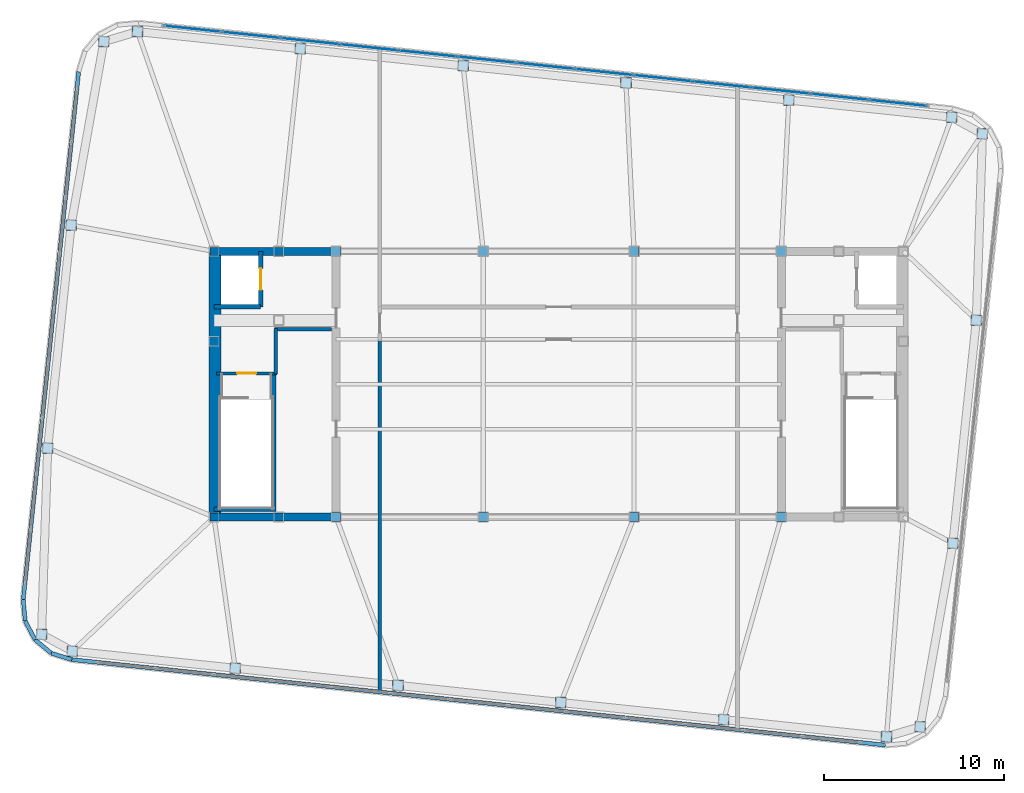
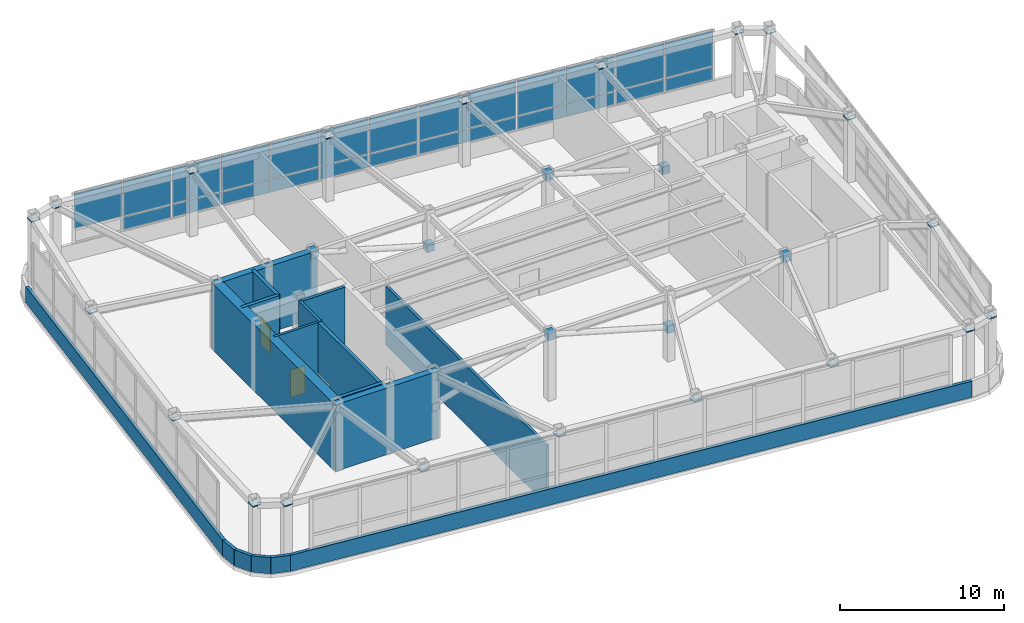
# One storey, part 19 of 21: 53 plates, 17 walls, 2 doors, 2 openings, 1 element without a shape of its own.
"""IFC4 building model written with IfcOpenShell, lengths in metres."""

from ifc_helpers import new_model, si_unit, direction, frame, frame_2d, origin, origin_2d, place, context, subcontext, project, spatial, rectangle, extrude, material, layer, layer_set, type_object, element, fill, aggregate, save


model = new_model("IFC4")

# Units and contexts
model_context = context("Model", 3, precision=1e-05, world=origin(), true_north=direction((0.0, 1.0)))
body_context = subcontext(model_context, "Body", "Model", "MODEL_VIEW")
ifc_project = project(units=[si_unit("LENGTHUNIT", "METRE"), si_unit("AREAUNIT", "SQUARE_METRE"), si_unit("VOLUMEUNIT", "CUBIC_METRE"), si_unit("PLANEANGLEUNIT", "RADIAN"), si_unit("MASSUNIT", "GRAM", prefix="KILO")], contexts=[model_context])

# Site, building, storey
site_placement = place(None, origin())
site = spatial("IfcSite", under=ifc_project, at=site_placement, CompositionType="ELEMENT")
building_placement = place(site_placement, origin())
building = spatial("IfcBuilding", under=site, at=building_placement, Name="Voryun Gate Residences", CompositionType="ELEMENT")
storey_placement = place(building_placement, frame((0.0, 0.0, 337.199951171875)))
storey = spatial("IfcBuildingStorey", under=building, at=storey_placement, Name="L82", CompositionType="ELEMENT", Elevation=337.199951171875)

# Plates
ifc_material_1 = material(Name="Steel SM355", Category="steel")
ifc_layer_1 = layer(ifc_material_1, 0.02490234375, Name="PLT_END_CAP_25")
ifc_layer_set_1 = layer_set([ifc_layer_1], Name="Steel SM355")
plate_type_1 = type_object("IfcPlateType", Name="PLT_END_CAP_25", PredefinedType="USERDEFINED", material=ifc_layer_set_1)
for number, where, z_axis, x_axis, name in (
    (1, (-27.088623046875, -14.87158203125, 4.695068359375), (0.0, 0.0, 1.0), (1.0, 0.0, 0.0), "L82 Hollow Member End-Cap Plate EC-1075"),
    (2, (-18.0185546875, -15.824951171875, 4.695068359375), (0.0, 0.0, 1.0), (1.0, 0.0, 0.0), "L82 Hollow Member End-Cap Plate EC-1076"),
    (3, (-8.948486328125, -16.7783203125, 4.695068359375), (0.0, 0.0, 1.0), (1.0, 0.0, 0.0), "L82 Hollow Member End-Cap Plate EC-1077"),
    (4, (0.12158203125, -17.731689453125, 4.695068359375), (0.0, 0.0, 1.0), (1.0, 0.0, 0.0), "L82 Hollow Member End-Cap Plate EC-1078"),
    (5, (9.19140625, -18.684814453125, 4.695068359375), (0.0, 0.0, 1.0), (1.0, 0.0, 0.0), "L82 Hollow Member End-Cap Plate EC-1079"),
    (6, (18.261474609375, -19.63818359375, 4.695068359375), (0.0, 0.0, 1.0), (1.0, 0.0, 0.0), "L82 Hollow Member End-Cap Plate EC-1080"),
    (7, (20.1328125, -19.083984375, 4.695068359375), (0.0, 0.0, 1.0), (1.0, 0.0, 0.0), "L82 Hollow Member End-Cap Plate EC-1081"),
    (8, (21.958251953125, -8.861572265625, 4.695068359375), (0.0, 0.0, 1.0), (1.0, 0.0, 0.0), "L82 Hollow Member End-Cap Plate EC-1082"),
    (9, (23.263916015625, 3.56201171875, 4.695068359375), (0.0, 0.0, 1.0), (1.0, 0.0, 0.0), "L82 Hollow Member End-Cap Plate EC-1083"),
    (10, (23.603759765625, 13.9404296875, 4.695068359375), (0.0, 0.0, 1.0), (1.0, 0.0, 0.0), "L82 Hollow Member End-Cap Plate EC-1084"),
    (11, (21.888671875, 14.87158203125, 4.695068359375), (0.0, 0.0, 1.0), (1.0, 0.0, 0.0), "L82 Hollow Member End-Cap Plate EC-1085"),
    (12, (12.818603515625, 15.824951171875, 4.695068359375), (0.0, 0.0, 1.0), (1.0, 0.0, 0.0), "L82 Hollow Member End-Cap Plate EC-1086"),
    (13, (3.74853515625, 16.7783203125, 4.695068359375), (0.0, 0.0, 1.0), (1.0, 0.0, 0.0), "L82 Hollow Member End-Cap Plate EC-1087"),
    (14, (-5.3212890625, 17.731689453125, 4.695068359375), (0.0, 0.0, 1.0), (1.0, 0.0, 0.0), "L82 Hollow Member End-Cap Plate EC-1088"),
    (15, (-14.3916015625, 18.684814453125, 4.695068359375), (0.0, 0.0, 1.0), (1.0, 0.0, 0.0), "L82 Hollow Member End-Cap Plate EC-1089"),
    (16, (-23.46142578125, 19.63818359375, 4.695068359375), (0.0, 0.0, 1.0), (1.0, 0.0, 0.0), "L82 Hollow Member End-Cap Plate EC-1090"),
    (17, (-25.332763671875, 19.083984375, 4.695068359375), (0.0, 0.0, 1.0), (1.0, 0.0, 0.0), "L82 Hollow Member End-Cap Plate EC-1091"),
    (18, (-27.158203125, 8.861572265625, 4.695068359375), (0.0, 0.0, 1.0), (1.0, 0.0, 0.0), "L82 Hollow Member End-Cap Plate EC-1092"),
    (19, (-28.464111328125, -3.56201171875, 4.695068359375), (0.0, 0.0, 1.0), (1.0, 0.0, 0.0), "L82 Hollow Member End-Cap Plate EC-1093"),
    (20, (-28.8037109375, -13.9404296875, 4.695068359375), (0.0, 0.0, 1.0), (1.0, 0.0, 0.0), "L82 Hollow Member End-Cap Plate EC-1094"),
):
    element("IfcPlate", number, at=place(storey_placement, frame(where, z_axis=z_axis, x_axis=x_axis)), inside=storey, type_object=plate_type_1, Name=name, ObjectType="BASE_PLATE", PredefinedType="USERDEFINED", context=body_context, shape_type="SweptSolid", body=[
        extrude(rectangle(XDim=0.590087890625, YDim=0.590087890625, at=origin_2d()), origin(), (0.0, 0.0, 1.0), 0.080078125),
    ])
for number, where, z_axis, x_axis, name in (
    (21, (-4.199951171875, -7.39990234375, 4.5), (0.0, 0.0, 1.0), (1.0, 0.0, 0.0), "L82 Brace Node Connection Plate BN-1096"),
    (22, (12.39990234375, -7.39990234375, 4.5), (0.0, 0.0, 1.0), (1.0, 0.0, 0.0), "L82 Brace Node Connection Plate BN-1098"),
    (23, (-12.39990234375, 7.39990234375, 4.5), (0.0, 0.0, 1.0), (1.0, 0.0, 0.0), "L82 Brace Node Connection Plate BN-1100"),
    (24, (12.39990234375, 7.39990234375, 2.10009765625), (0.0, 0.0, 1.0), (1.0, 0.0, 0.0), "L82 Brace Node Connection Plate BN-1102"),
):
    element("IfcPlate", number, at=place(storey_placement, frame(where, z_axis=z_axis, x_axis=x_axis)), inside=storey, type_object=plate_type_1, Name=name, ObjectType="BASE_PLATE", PredefinedType="USERDEFINED", context=body_context, shape_type="SweptSolid", body=[
        extrude(rectangle(XDim=0.52001953125, YDim=0.52001953125, at=origin_2d()), origin(), (0.0, 0.0, 1.0), 0.56005859375),
    ])

# Curtain wall, plates
ifc_material_2 = material(Name="Anodised aluminium", Category="aluminium")
ifc_layer_2 = layer(ifc_material_2, 0.22998046875, Name="CW_SYS_LANTERN_DARK_GLASS")
ifc_layer_set_2 = layer_set([ifc_layer_2], Name="Anodised aluminium")
curtain_wall_type = type_object("IfcCurtainWallType", Name="CW_SYS_LANTERN_DARK_GLASS", PredefinedType="NOTDEFINED", material=ifc_layer_set_2)
curtain_wall_placement = place(storey_placement, origin())
curtain_wall = element("IfcCurtainWall", 25, at=curtain_wall_placement, inside=storey, type_object=curtain_wall_type, Name="Curtain wall CW6-L82-11", PredefinedType="NOTDEFINED")
ifc_material_3 = material(Name="Fritted lantern glass", Category="glass")
ifc_layer_3 = layer(ifc_material_3, 0.050048828125, Name="PLT_GLASS_FRIT_LANTERN")
ifc_layer_set_3 = layer_set([ifc_layer_3], Name="Fritted lantern glass")
plate_type_2 = type_object("IfcPlateType", Name="PLT_GLASS_FRIT_LANTERN", PredefinedType="CURTAIN_PANEL", material=ifc_layer_set_3)
plate_1_placement = place(storey_placement, frame((-20.382080078125, 19.787109375, 2.27001953125), z_axis=(0.0, 0.0, 1.0), x_axis=(0.994521969434, -0.10452775858, 0.0)))
plate_1 = element("IfcPlate", 26, at=plate_1_placement, type_object=plate_type_2, Name="CW6 panel 1.2", PredefinedType="CURTAIN_PANEL", context=body_context, shape_type="SweptSolid", body=[
    extrude(rectangle(XDim=3.20458984375, YDim=0.028076171875, at=origin_2d()), origin(), (0.0, 0.0, 1.0), 2.6298828125),
])
plate_2_placement = place(storey_placement, frame((-17.120361328125, 19.4443359375, 1.25), z_axis=(0.0, 0.0, 1.0), x_axis=(0.994521969434, -0.10452775858, 0.0)))
plate_2 = element("IfcPlate", 27, at=plate_2_placement, type_object=plate_type_2, Name="CW6 panel 2.1", PredefinedType="CURTAIN_PANEL", context=body_context, shape_type="SweptSolid", body=[
    extrude(rectangle(XDim=3.234619140625, YDim=0.028076171875, at=origin_2d()), origin(), (0.0, 0.0, 1.0), 0.9599609375),
])
plate_3_placement = place(storey_placement, frame((-17.120361328125, 19.4443359375, 2.27001953125), z_axis=(0.0, 0.0, 1.0), x_axis=(0.994521969434, -0.10452775858, 0.0)))
plate_3 = element("IfcPlate", 28, at=plate_3_placement, type_object=plate_type_2, Name="CW6 panel 2.2", PredefinedType="CURTAIN_PANEL", context=body_context, shape_type="SweptSolid", body=[
    extrude(rectangle(XDim=3.234619140625, YDim=0.028076171875, at=origin_2d()), origin(), (0.0, 0.0, 1.0), 2.6298828125),
])
plate_4_placement = place(storey_placement, frame((-13.84375, 19.099853515625, 1.25), z_axis=(0.0, 0.0, 1.0), x_axis=(0.994521969434, -0.10452775858, 0.0)))
plate_4 = element("IfcPlate", 29, at=plate_4_placement, type_object=plate_type_2, Name="CW6 panel 3.1", PredefinedType="CURTAIN_PANEL", context=body_context, shape_type="SweptSolid", body=[
    extrude(rectangle(XDim=3.234619140625, YDim=0.028076171875, at=origin_2d()), origin(), (0.0, 0.0, 1.0), 0.9599609375),
])
plate_5_placement = place(storey_placement, frame((-13.84375, 19.099853515625, 2.27001953125), z_axis=(0.0, 0.0, 1.0), x_axis=(0.994521969434, -0.10452775858, 0.0)))
plate_5 = element("IfcPlate", 30, at=plate_5_placement, type_object=plate_type_2, Name="CW6 panel 3.2", PredefinedType="CURTAIN_PANEL", context=body_context, shape_type="SweptSolid", body=[
    extrude(rectangle(XDim=3.234619140625, YDim=0.028076171875, at=origin_2d()), origin(), (0.0, 0.0, 1.0), 2.6298828125),
])
plate_6_placement = place(storey_placement, frame((-10.567138671875, 18.755615234375, 1.25), z_axis=(0.0, 0.0, 1.0), x_axis=(0.994521969434, -0.10452775858, 0.0)))
plate_6 = element("IfcPlate", 31, at=plate_6_placement, type_object=plate_type_2, Name="CW6 panel 4.1", PredefinedType="CURTAIN_PANEL", context=body_context, shape_type="SweptSolid", body=[
    extrude(rectangle(XDim=3.234619140625, YDim=0.028076171875, at=origin_2d()), origin(), (0.0, 0.0, 1.0), 0.9599609375),
])
plate_7_placement = place(storey_placement, frame((-10.567138671875, 18.755615234375, 2.27001953125), z_axis=(0.0, 0.0, 1.0), x_axis=(0.994521969434, -0.10452775858, 0.0)))
plate_7 = element("IfcPlate", 32, at=plate_7_placement, type_object=plate_type_2, Name="CW6 panel 4.2", PredefinedType="CURTAIN_PANEL", context=body_context, shape_type="SweptSolid", body=[
    extrude(rectangle(XDim=3.234619140625, YDim=0.028076171875, at=origin_2d()), origin(), (0.0, 0.0, 1.0), 2.6298828125),
])
plate_8_placement = place(storey_placement, frame((-7.29052734375, 18.4111328125, 1.25), z_axis=(0.0, 0.0, 1.0), x_axis=(0.994521969434, -0.10452775858, 0.0)))
plate_8 = element("IfcPlate", 33, at=plate_8_placement, type_object=plate_type_2, Name="CW6 panel 5.1", PredefinedType="CURTAIN_PANEL", context=body_context, shape_type="SweptSolid", body=[
    extrude(rectangle(XDim=3.234619140625, YDim=0.028076171875, at=origin_2d()), origin(), (0.0, 0.0, 1.0), 0.9599609375),
])
plate_9_placement = place(storey_placement, frame((-7.29052734375, 18.4111328125, 2.27001953125), z_axis=(0.0, 0.0, 1.0), x_axis=(0.994521969434, -0.10452775858, 0.0)))
plate_9 = element("IfcPlate", 34, at=plate_9_placement, type_object=plate_type_2, Name="CW6 panel 5.2", PredefinedType="CURTAIN_PANEL", context=body_context, shape_type="SweptSolid", body=[
    extrude(rectangle(XDim=3.234619140625, YDim=0.028076171875, at=origin_2d()), origin(), (0.0, 0.0, 1.0), 2.6298828125),
])
plate_10_placement = place(storey_placement, frame((-4.013916015625, 18.06689453125, 1.25), z_axis=(0.0, 0.0, 1.0), x_axis=(0.994521969434, -0.10452775858, 0.0)))
plate_10 = element("IfcPlate", 35, at=plate_10_placement, type_object=plate_type_2, Name="CW6 panel 6.1", PredefinedType="CURTAIN_PANEL", context=body_context, shape_type="SweptSolid", body=[
    extrude(rectangle(XDim=3.234619140625, YDim=0.028076171875, at=origin_2d()), origin(), (0.0, 0.0, 1.0), 0.9599609375),
])
plate_11_placement = place(storey_placement, frame((-4.013916015625, 18.06689453125, 2.27001953125), z_axis=(0.0, 0.0, 1.0), x_axis=(0.994521969434, -0.10452775858, 0.0)))
plate_11 = element("IfcPlate", 36, at=plate_11_placement, type_object=plate_type_2, Name="CW6 panel 6.2", PredefinedType="CURTAIN_PANEL", context=body_context, shape_type="SweptSolid", body=[
    extrude(rectangle(XDim=3.234619140625, YDim=0.028076171875, at=origin_2d()), origin(), (0.0, 0.0, 1.0), 2.6298828125),
])
plate_12_placement = place(storey_placement, frame((-0.7373046875, 17.722412109375, 1.25), z_axis=(0.0, 0.0, 1.0), x_axis=(0.994521969434, -0.10452775858, 0.0)))
plate_12 = element("IfcPlate", 37, at=plate_12_placement, type_object=plate_type_2, Name="CW6 panel 7.1", PredefinedType="CURTAIN_PANEL", context=body_context, shape_type="SweptSolid", body=[
    extrude(rectangle(XDim=3.234619140625, YDim=0.028076171875, at=origin_2d()), origin(), (0.0, 0.0, 1.0), 0.9599609375),
])
plate_13_placement = place(storey_placement, frame((-0.7373046875, 17.722412109375, 2.27001953125), z_axis=(0.0, 0.0, 1.0), x_axis=(0.994521969434, -0.10452775858, 0.0)))
plate_13 = element("IfcPlate", 38, at=plate_13_placement, type_object=plate_type_2, Name="CW6 panel 7.2", PredefinedType="CURTAIN_PANEL", context=body_context, shape_type="SweptSolid", body=[
    extrude(rectangle(XDim=3.234619140625, YDim=0.028076171875, at=origin_2d()), origin(), (0.0, 0.0, 1.0), 2.6298828125),
])
plate_14_placement = place(storey_placement, frame((2.539306640625, 17.3779296875, 1.25), z_axis=(0.0, 0.0, 1.0), x_axis=(0.994521969434, -0.10452775858, 0.0)))
plate_14 = element("IfcPlate", 39, at=plate_14_placement, type_object=plate_type_2, Name="CW6 panel 8.1", PredefinedType="CURTAIN_PANEL", context=body_context, shape_type="SweptSolid", body=[
    extrude(rectangle(XDim=3.234619140625, YDim=0.028076171875, at=origin_2d()), origin(), (0.0, 0.0, 1.0), 0.9599609375),
])
plate_15_placement = place(storey_placement, frame((2.539306640625, 17.3779296875, 2.27001953125), z_axis=(0.0, 0.0, 1.0), x_axis=(0.994521969434, -0.10452775858, 0.0)))
plate_15 = element("IfcPlate", 40, at=plate_15_placement, type_object=plate_type_2, Name="CW6 panel 8.2", PredefinedType="CURTAIN_PANEL", context=body_context, shape_type="SweptSolid", body=[
    extrude(rectangle(XDim=3.234619140625, YDim=0.028076171875, at=origin_2d()), origin(), (0.0, 0.0, 1.0), 2.6298828125),
])
plate_16_placement = place(storey_placement, frame((5.81591796875, 17.03369140625, 1.25), z_axis=(0.0, 0.0, 1.0), x_axis=(0.994521969434, -0.10452775858, 0.0)))
plate_16 = element("IfcPlate", 41, at=plate_16_placement, type_object=plate_type_2, Name="CW6 panel 9.1", PredefinedType="CURTAIN_PANEL", context=body_context, shape_type="SweptSolid", body=[
    extrude(rectangle(XDim=3.234619140625, YDim=0.028076171875, at=origin_2d()), origin(), (0.0, 0.0, 1.0), 0.9599609375),
])
plate_17_placement = place(storey_placement, frame((5.81591796875, 17.03369140625, 2.27001953125), z_axis=(0.0, 0.0, 1.0), x_axis=(0.994521969434, -0.10452775858, 0.0)))
plate_17 = element("IfcPlate", 42, at=plate_17_placement, type_object=plate_type_2, Name="CW6 panel 9.2", PredefinedType="CURTAIN_PANEL", context=body_context, shape_type="SweptSolid", body=[
    extrude(rectangle(XDim=3.234619140625, YDim=0.028076171875, at=origin_2d()), origin(), (0.0, 0.0, 1.0), 2.6298828125),
])
plate_18_placement = place(storey_placement, frame((9.092529296875, 16.689208984375, 1.25), z_axis=(0.0, 0.0, 1.0), x_axis=(0.994521969434, -0.10452775858, 0.0)))
plate_18 = element("IfcPlate", 43, at=plate_18_placement, type_object=plate_type_2, Name="CW6 panel 10.1", PredefinedType="CURTAIN_PANEL", context=body_context, shape_type="SweptSolid", body=[
    extrude(rectangle(XDim=3.234619140625, YDim=0.028076171875, at=origin_2d()), origin(), (0.0, 0.0, 1.0), 0.9599609375),
])
plate_19_placement = place(storey_placement, frame((9.092529296875, 16.689208984375, 2.27001953125), z_axis=(0.0, 0.0, 1.0), x_axis=(0.994521969434, -0.10452775858, 0.0)))
plate_19 = element("IfcPlate", 44, at=plate_19_placement, type_object=plate_type_2, Name="CW6 panel 10.2", PredefinedType="CURTAIN_PANEL", context=body_context, shape_type="SweptSolid", body=[
    extrude(rectangle(XDim=3.234619140625, YDim=0.028076171875, at=origin_2d()), origin(), (0.0, 0.0, 1.0), 2.6298828125),
])
plate_20_placement = place(storey_placement, frame((12.369140625, 16.344970703125, 1.25), z_axis=(0.0, 0.0, 1.0), x_axis=(0.994521969434, -0.10452775858, 0.0)))
plate_20 = element("IfcPlate", 45, at=plate_20_placement, type_object=plate_type_2, Name="CW6 panel 11.1", PredefinedType="CURTAIN_PANEL", context=body_context, shape_type="SweptSolid", body=[
    extrude(rectangle(XDim=3.234619140625, YDim=0.028076171875, at=origin_2d()), origin(), (0.0, 0.0, 1.0), 0.9599609375),
])
plate_21_placement = place(storey_placement, frame((12.369140625, 16.344970703125, 2.27001953125), z_axis=(0.0, 0.0, 1.0), x_axis=(0.994521969434, -0.10452775858, 0.0)))
plate_21 = element("IfcPlate", 46, at=plate_21_placement, type_object=plate_type_2, Name="CW6 panel 11.2", PredefinedType="CURTAIN_PANEL", context=body_context, shape_type="SweptSolid", body=[
    extrude(rectangle(XDim=3.234619140625, YDim=0.028076171875, at=origin_2d()), origin(), (0.0, 0.0, 1.0), 2.6298828125),
])
plate_22_placement = place(storey_placement, frame((15.645751953125, 16.00048828125, 1.25), z_axis=(0.0, 0.0, 1.0), x_axis=(0.994521969434, -0.10452775858, 0.0)))
plate_22 = element("IfcPlate", 47, at=plate_22_placement, type_object=plate_type_2, Name="CW6 panel 12.1", PredefinedType="CURTAIN_PANEL", context=body_context, shape_type="SweptSolid", body=[
    extrude(rectangle(XDim=3.234619140625, YDim=0.028076171875, at=origin_2d()), origin(), (0.0, 0.0, 1.0), 0.9599609375),
])
plate_23_placement = place(storey_placement, frame((15.645751953125, 16.00048828125, 2.27001953125), z_axis=(0.0, 0.0, 1.0), x_axis=(0.994521969434, -0.10452775858, 0.0)))
plate_23 = element("IfcPlate", 48, at=plate_23_placement, type_object=plate_type_2, Name="CW6 panel 12.2", PredefinedType="CURTAIN_PANEL", context=body_context, shape_type="SweptSolid", body=[
    extrude(rectangle(XDim=3.234619140625, YDim=0.028076171875, at=origin_2d()), origin(), (0.0, 0.0, 1.0), 2.6298828125),
])
plate_24_placement = place(storey_placement, frame((18.907470703125, 15.65771484375, 1.25), z_axis=(0.0, 0.0, 1.0), x_axis=(0.994521969434, -0.10452775858, 0.0)))
plate_24 = element("IfcPlate", 49, at=plate_24_placement, type_object=plate_type_2, Name="CW6 panel 13.1", PredefinedType="CURTAIN_PANEL", context=body_context, shape_type="SweptSolid", body=[
    extrude(rectangle(XDim=3.20458984375, YDim=0.028076171875, at=origin_2d()), origin(), (0.0, 0.0, 1.0), 0.9599609375),
])
plate_25_placement = place(storey_placement, frame((18.907470703125, 15.65771484375, 2.27001953125), z_axis=(0.0, 0.0, 1.0), x_axis=(0.994521969434, -0.10452775858, 0.0)))
plate_25 = element("IfcPlate", 50, at=plate_25_placement, type_object=plate_type_2, Name="CW6 panel 13.2", PredefinedType="CURTAIN_PANEL", context=body_context, shape_type="SweptSolid", body=[
    extrude(rectangle(XDim=3.20458984375, YDim=0.028076171875, at=origin_2d()), origin(), (0.0, 0.0, 1.0), 2.6298828125),
])
aggregate(curtain_wall, [plate_1, plate_2, plate_3, plate_4, plate_5, plate_6, plate_7, plate_8, plate_9, plate_10, plate_11, plate_12, plate_13, plate_14, plate_15, plate_16, plate_17, plate_18, plate_19, plate_20, plate_21, plate_22, plate_23, plate_24, plate_25])

# Plates
ifc_material_4 = material(Name="Steel SM420", Category="steel")
ifc_layer_4 = layer(ifc_material_4, 0.035888671875, Name="PLT_OUTRIGGER_GUSSET_36")
ifc_layer_set_4 = layer_set([ifc_layer_4], Name="Steel SM420")
plate_type_3 = type_object("IfcPlateType", Name="PLT_OUTRIGGER_GUSSET_36", PredefinedType="USERDEFINED", material=ifc_layer_set_4)
for number, where, z_axis, x_axis, name in (
    (51, (-12.39990234375, -7.39990234375, 2.10009765625), (0.0, 0.0, 1.0), (1.0, 0.0, 0.0), "L82 Brace Node Connection Plate BN-1095"),
    (52, (4.199951171875, -7.39990234375, 2.10009765625), (0.0, 0.0, 1.0), (1.0, 0.0, 0.0), "L82 Brace Node Connection Plate BN-1097"),
    (53, (-4.199951171875, 7.39990234375, 2.10009765625), (0.0, 0.0, 1.0), (1.0, 0.0, 0.0), "L82 Brace Node Connection Plate BN-1099"),
    (54, (4.199951171875, 7.39990234375, 4.5), (0.0, 0.0, 1.0), (1.0, 0.0, 0.0), "L82 Brace Node Connection Plate BN-1101"),
):
    element("IfcPlate", number, at=place(storey_placement, frame(where, z_axis=z_axis, x_axis=x_axis)), inside=storey, type_object=plate_type_3, Name=name, ObjectType="GUSSET_PLATE", PredefinedType="USERDEFINED", context=body_context, shape_type="SweptSolid", body=[
        extrude(rectangle(XDim=0.52001953125, YDim=0.52001953125, at=origin_2d()), origin(), (0.0, 0.0, 1.0), 0.56005859375),
    ])

# Walls
ifc_material_5 = material(Name="Concrete C50/60", Category="concrete")
ifc_layer_5 = layer(ifc_material_5, 0.449951171875, Name="CW_CORE_450")
ifc_layer_set_5 = layer_set([ifc_layer_5], Name="Concrete C50/60")
wall_type_1 = type_object("IfcWallType", Name="CW_CORE_450", PredefinedType="SHEAR", material=ifc_layer_set_5)
for number, where, z_axis, x_axis, name in (
    (55, (-19.425048828125, -7.39990234375, 0.0), (0.0, 0.0, 1.0), (1.0, 0.0, 0.0), "L82 Core shear wall CW-L82-WS"),
    (56, (-19.425048828125, 7.39990234375, 0.0), (0.0, 0.0, 1.0), (1.0, 0.0, 0.0), "L82 Core shear wall CW-L82-WN"),
):
    element("IfcWall", number, at=place(storey_placement, frame(where, z_axis=z_axis, x_axis=x_axis)), inside=storey, type_object=wall_type_1, Name=name, PredefinedType="SHEAR", context=body_context, shape_type="SweptSolid", body=[
        extrude(rectangle(XDim=7.25, YDim=0.449951171875, at=frame_2d((3.625, 0.0))), origin(), (0.0, 0.0, 1.0), 4.9599609375),
    ])
ifc_material_6 = material(Name="Concrete C60/75", Category="concrete")
ifc_layer_6 = layer(ifc_material_6, 0.64990234375, Name="CW_CORE_650")
ifc_layer_set_6 = layer_set([ifc_layer_6], Name="Concrete C60/75")
wall_type_2 = type_object("IfcWallType", Name="CW_CORE_650", PredefinedType="SHEAR", material=ifc_layer_set_6)
wall_1_placement = place(storey_placement, frame((-19.14501953125, -7.39990234375, 0.0), z_axis=(0.0, 0.0, 1.0), x_axis=(0.0, 1.0, 0.0)))
element("IfcWall", 57, at=wall_1_placement, inside=storey, type_object=wall_type_2, Name="L82 Core shear wall CW-L82-WW", PredefinedType="SHEAR", context=body_context, shape_type="SweptSolid", body=[
    extrude(rectangle(XDim=14.7998046875, YDim=0.64990234375, at=frame_2d((7.39990234375, 0.0))), origin(), (0.0, 0.0, 1.0), 4.9599609375),
])

# Wall, opening, door
ifc_material_7 = material(Name="Gypsum acoustic fireboard")
ifc_layer_7 = layer(ifc_material_7, 0.179931640625, Name="W_CORR_RATED_180")
ifc_layer_set_7 = layer_set([ifc_layer_7], Name="Gypsum acoustic fireboard")
wall_type_3 = type_object("IfcWallType", Name="W_CORR_RATED_180", PredefinedType="PARTITIONING", material=ifc_layer_set_7)
wall_2_placement = place(storey_placement, frame((-19.06005859375, 0.60009765625, 0.0), z_axis=(0.0, 0.0, 1.0), x_axis=(1.0, 0.0, 0.0)))
wall_2 = element("IfcWall", 58, at=wall_2_placement, inside=storey, type_object=wall_type_3, Name="Partition wall WP-L82-STV-W", PredefinedType="PARTITIONING", context=body_context, shape_type="SweptSolid", body=[
    extrude(rectangle(XDim=3.360107421875, YDim=0.179931640625, at=frame_2d((1.68017578125, 0.0))), origin(), (0.0, 0.0, 1.0), 4.9599609375),
])
opening_1_placement = place(wall_2_placement, frame((1.155029296875, 0.0, 0.0)))
opening_1 = element("IfcOpeningElement", 59, at=opening_1_placement, cuts=wall_2, Name="Opening D-FD60-1", PredefinedType="OPENING", context=body_context, shape_type="SweptSolid", body=[
    extrude(rectangle(XDim=1.050048828125, YDim=2.050048828125, at=frame_2d((0.52490234375, 1.02490234375))), frame((0.0, 0.099853515625, 0.0), z_axis=(0.0, -1.0, 0.0), x_axis=(1.0, 0.0, 0.0)), (0.0, 0.0, 1.0), 0.199951171875),
])
ifc_material_8 = material(Name="Painted steel fire door", Category="steel")
door_type_1 = type_object("IfcDoorType", Name="DR_FD60_STAIR_1050", OperationType="NOTDEFINED", PredefinedType="DOOR", material=ifc_material_8)
door_1_placement = place(opening_1_placement, origin())
door_1 = element("IfcDoor", 60, at=door_1_placement, inside=storey, type_object=door_type_1, Name="Door DR-L82-ST-W", OperationType="SINGLE_SWING_LEFT", OverallHeight=2.050048828125, OverallWidth=1.050048828125, PredefinedType="DOOR", context=body_context, shape_type="SweptSolid", body=[
    extrude(rectangle(XDim=1.050048828125, YDim=2.050048828125, at=frame_2d((0.52490234375, 1.02490234375))), frame((0.0, 0.02490234375, 0.0), z_axis=(0.0, -1.0, 0.0), x_axis=(1.0, 0.0, 0.0)), (0.0, 0.0, 1.0), 0.050048828125),
])
fill(opening_1, door_1)

# Walls
ifc_material_9 = material(Name="Concrete C40/50", Category="concrete")
ifc_layer_8 = layer(ifc_material_9, 0.199951171875, Name="W_FF_LOBBY_200")
ifc_layer_set_8 = layer_set([ifc_layer_8], Name="Concrete C40/50")
wall_type_4 = type_object("IfcWallType", Name="W_FF_LOBBY_200", PredefinedType="PARTITIONING", material=ifc_layer_set_8)
wall_3_placement = place(storey_placement, frame((-15.760009765625, 0.580078125, 0.0), z_axis=(0.0, 0.0, 1.0), x_axis=(0.0, 1.0, 0.0)))
element("IfcWall", 61, at=wall_3_placement, inside=storey, type_object=wall_type_4, Name="Partition wall WP-L82-FFP0-W", PredefinedType="PARTITIONING", context=body_context, shape_type="SweptSolid", body=[
    extrude(rectangle(XDim=2.52001953125, YDim=0.199951171875, at=frame_2d((1.260009765625, 0.0))), origin(), (0.0, 0.0, 1.0), 4.9599609375),
])
wall_4_placement = place(storey_placement, frame((-15.820068359375, 3.06005859375, 0.0), z_axis=(0.0, 0.0, 1.0), x_axis=(1.0, 0.0, 0.0)))
element("IfcWall", 62, at=wall_4_placement, inside=storey, type_object=wall_type_4, Name="Partition wall WP-L82-FFPS-W", PredefinedType="PARTITIONING", context=body_context, shape_type="SweptSolid", body=[
    extrude(rectangle(XDim=3.16015625, YDim=0.199951171875, at=frame_2d((1.580078125, 0.0))), origin(), (0.0, 0.0, 1.0), 4.9599609375),
])
wall_5_placement = place(storey_placement, frame((-9.9599609375, -17.12451171875, 0.0), z_axis=(0.0, 0.0, 1.0), x_axis=(0.0, 1.0, 0.0)))
element("IfcWall", 63, at=wall_5_placement, inside=storey, type_object=wall_type_4, Name="Partition wall WP-L82-CW1", PredefinedType="PARTITIONING", context=body_context, shape_type="SweptSolid", body=[
    extrude(rectangle(XDim=19.62451171875, YDim=0.199951171875, at=frame_2d((9.812255859375, 0.0))), origin(), (0.0, 0.0, 1.0), 4.400146484375),
])
ifc_material_10 = material(Name="Precast concrete C40/50", Category="concrete")
ifc_layer_9 = layer(ifc_material_10, 0.219970703125, Name="W_PARAPET_CURB_220")
ifc_layer_set_9 = layer_set([ifc_layer_9], Name="Precast concrete C40/50")
wall_type_5 = type_object("IfcWallType", Name="W_PARAPET_CURB_220", PredefinedType="PARAPET", material=ifc_layer_set_9)
wall_6_placement = place(storey_placement, frame((18.19482421875, -20.103759765625, 0.0), z_axis=(0.0, 0.0, 1.0), x_axis=(-0.994522116558, 0.104526358762, 0.0)))
element("IfcWall", 64, at=wall_6_placement, inside=storey, type_object=wall_type_5, Name="Exterior wall WCRN-L82-01", PredefinedType="PARAPET", context=body_context, shape_type="SweptSolid", body=[
    extrude(rectangle(XDim=45.564453125, YDim=0.219970703125, at=frame_2d((22.7822265625, 0.0))), origin(), (0.0, 0.0, 1.0), 1.199951171875),
])
wall_7_placement = place(storey_placement, frame((-27.1201171875, -15.341064453125, 0.0), z_axis=(0.0, 0.0, 1.0), x_axis=(-0.95499831015, 0.296611239858, 0.0)))
element("IfcWall", 65, at=wall_7_placement, inside=storey, type_object=wall_type_5, Name="Exterior wall WCRN-L82-02", PredefinedType="PARAPET", context=body_context, shape_type="SweptSolid", body=[
    extrude(rectangle(XDim=1.195068359375, YDim=0.219970703125, at=frame_2d((0.59765625, 0.0))), origin(), (0.0, 0.0, 1.0), 1.199951171875),
])
wall_8_placement = place(storey_placement, frame((-28.261474609375, -14.986572265625, 0.0), z_axis=(0.0, 0.0, 1.0), x_axis=(-0.768849923601, 0.639429272852, 0.0)))
element("IfcWall", 66, at=wall_8_placement, inside=storey, type_object=wall_type_5, Name="Exterior wall WCRN-L82-03", PredefinedType="PARAPET", context=body_context, shape_type="SweptSolid", body=[
    extrude(rectangle(XDim=1.177001953125, YDim=0.219970703125, at=frame_2d((0.58837890625, 0.0))), origin(), (0.0, 0.0, 1.0), 1.199951171875),
])
wall_9_placement = place(storey_placement, frame((-29.16650390625, -14.23388671875, 0.0), z_axis=(0.0, 0.0, 1.0), x_axis=(-0.46554120999, 0.885026204019, 0.0)))
element("IfcWall", 67, at=wall_9_placement, inside=storey, type_object=wall_type_5, Name="Exterior wall WCRN-L82-04", PredefinedType="PARAPET", context=body_context, shape_type="SweptSolid", body=[
    extrude(rectangle(XDim=1.1767578125, YDim=0.219970703125, at=frame_2d((0.58837890625, 0.0))), origin(), (0.0, 0.0, 1.0), 1.199951171875),
])
wall_10_placement = place(storey_placement, frame((-29.71435546875, -13.1923828125, 0.0), z_axis=(0.0, 0.0, 1.0), x_axis=(-0.091530451467, 0.995802277791, 0.0)))
element("IfcWall", 68, at=wall_10_placement, inside=storey, type_object=wall_type_5, Name="Exterior wall WCRN-L82-05", PredefinedType="PARAPET", context=body_context, shape_type="SweptSolid", body=[
    extrude(rectangle(XDim=1.195068359375, YDim=0.219970703125, at=frame_2d((0.59765625, 0.0))), origin(), (0.0, 0.0, 1.0), 1.199951171875),
])
wall_11_placement = place(storey_placement, frame((-29.82373046875, -12.00244140625, 0.0), z_axis=(0.0, 0.0, 1.0), x_axis=(0.104528313262, 0.994521911134, 0.0)))
element("IfcWall", 69, at=wall_11_placement, inside=storey, type_object=wall_type_5, Name="Exterior wall WCRN-L82-06", PredefinedType="PARAPET", context=body_context, shape_type="SweptSolid", body=[
    extrude(rectangle(XDim=29.564453125, YDim=0.219970703125, at=frame_2d((14.7822265625, 0.0))), origin(), (0.0, 0.0, 1.0), 1.199951171875),
])
ifc_material_11 = material(Name="Concrete C50/60", Category="concrete")
ifc_layer_10 = layer(ifc_material_11, 0.25, Name="W_SHAFT_RC250")
ifc_layer_set_10 = layer_set([ifc_layer_10], Name="Concrete C50/60")
wall_type_6 = type_object("IfcWallType", Name="W_SHAFT_RC250", PredefinedType="SOLIDWALL", material=ifc_layer_set_10)
wall_12_placement = place(storey_placement, frame((-15.860107421875, -7.0849609375, 0.0), z_axis=(0.0, 0.0, 1.0), x_axis=(0.0, 1.0, 0.0)))
element("IfcWall", 70, at=wall_12_placement, inside=storey, type_object=wall_type_6, Name="L82 Stair shaft structural wall W-STR", PredefinedType="SOLIDWALL", context=body_context, shape_type="SweptSolid", body=[
    extrude(rectangle(XDim=7.68505859375, YDim=0.25, at=frame_2d((3.842529296875, 0.0))), origin(), (0.0, 0.0, 1.0), 4.9599609375),
])
wall_13_placement = place(storey_placement, frame((-19.199951171875, -6.965087890625, 0.0), z_axis=(0.0, 0.0, 1.0), x_axis=(1.0, 0.0, 0.0)))
element("IfcWall", 71, at=wall_13_placement, inside=storey, type_object=wall_type_6, Name="L82 Stair shaft structural wall W-STS", PredefinedType="SOLIDWALL", context=body_context, shape_type="SweptSolid", body=[
    extrude(rectangle(XDim=3.4599609375, YDim=0.25, at=frame_2d((1.72998046875, 0.0))), origin(), (0.0, 0.0, 1.0), 4.9599609375),
])
wall_14_placement = place(storey_placement, frame((-19.199951171875, 4.300048828125, 0.0), z_axis=(0.0, 0.0, 1.0), x_axis=(1.0, 0.0, 0.0)))
element("IfcWall", 72, at=wall_14_placement, inside=storey, type_object=wall_type_6, Name="Lift shaft wall WSH-L82-EL-FF-W1-S", PredefinedType="SOLIDWALL", context=body_context, shape_type="SweptSolid", body=[
    extrude(rectangle(XDim=2.599853515625, YDim=0.25, at=frame_2d((1.2998046875, 0.0))), origin(), (0.0, 0.0, 1.0), 4.9599609375),
])

# Wall, opening, door
wall_15_placement = place(storey_placement, frame((-16.60009765625, 4.300048828125, 0.0), z_axis=(0.0, 0.0, 1.0), x_axis=(0.0, 1.0, 0.0)))
wall_15 = element("IfcWall", 73, at=wall_15_placement, inside=storey, type_object=wall_type_6, Name="Lift shaft wall WSH-L82-EL-FF-W1-E", PredefinedType="SOLIDWALL", context=body_context, shape_type="SweptSolid", body=[
    extrude(rectangle(XDim=3.099853515625, YDim=0.25, at=frame_2d((1.5498046875, 0.0))), origin(), (0.0, 0.0, 1.0), 4.9599609375),
])
opening_2_placement = place(wall_15_placement, frame((0.949951171875, 0.0, 0.0)))
opening_2 = element("IfcOpeningElement", 74, at=opening_2_placement, cuts=wall_15, Name="Opening LD1", PredefinedType="OPENING", context=body_context, shape_type="SweptSolid", body=[
    extrude(rectangle(XDim=1.199951171875, YDim=2.050048828125, at=frame_2d((0.60009765625, 1.02490234375))), frame((0.0, 0.135009765625, 0.0), z_axis=(0.0, -1.0, 0.0), x_axis=(1.0, 0.0, 0.0)), (0.0, 0.0, 1.0), 0.27001953125),
])
ifc_material_12 = material(Name="Anodised aluminium", Category="aluminium")
door_type_2 = type_object("IfcDoorType", Name="DR_LD_FF_1200", OperationType="NOTDEFINED", PredefinedType="DOOR", material=ifc_material_12)
door_2_placement = place(opening_2_placement, origin())
door_2 = element("IfcDoor", 75, at=door_2_placement, inside=storey, type_object=door_type_2, Name="Lift EL-FF-W1 sliding landing door L82", OperationType="SLIDING_TO_LEFT", OverallHeight=2.050048828125, OverallWidth=1.199951171875, PredefinedType="DOOR", context=body_context, shape_type="SweptSolid", body=[
    extrude(rectangle(XDim=1.199951171875, YDim=2.050048828125, at=frame_2d((0.60009765625, 1.02490234375))), frame((0.0, 0.02490234375, 0.0), z_axis=(0.0, -1.0, 0.0), x_axis=(1.0, 0.0, 0.0)), (0.0, 0.0, 1.0), 0.050048828125),
])
fill(opening_2, door_2)

save(model, "model.ifc")
